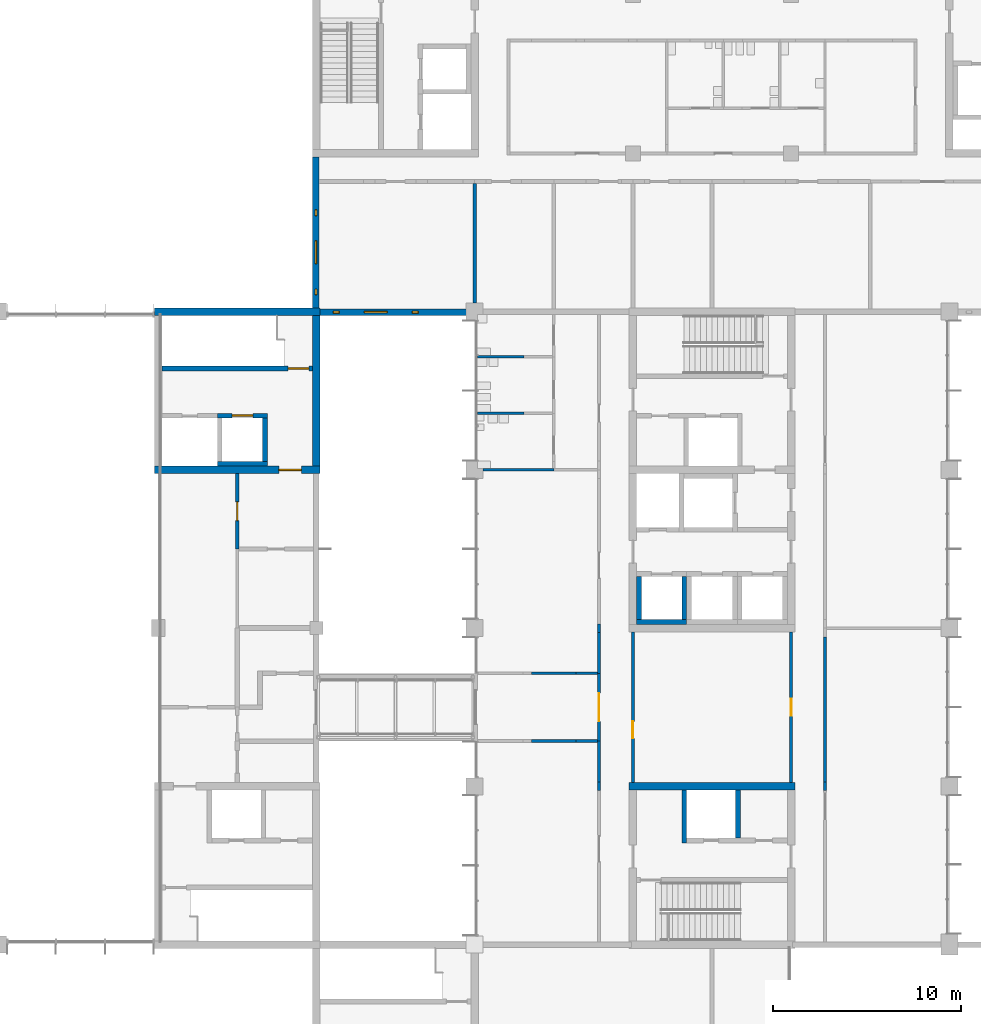
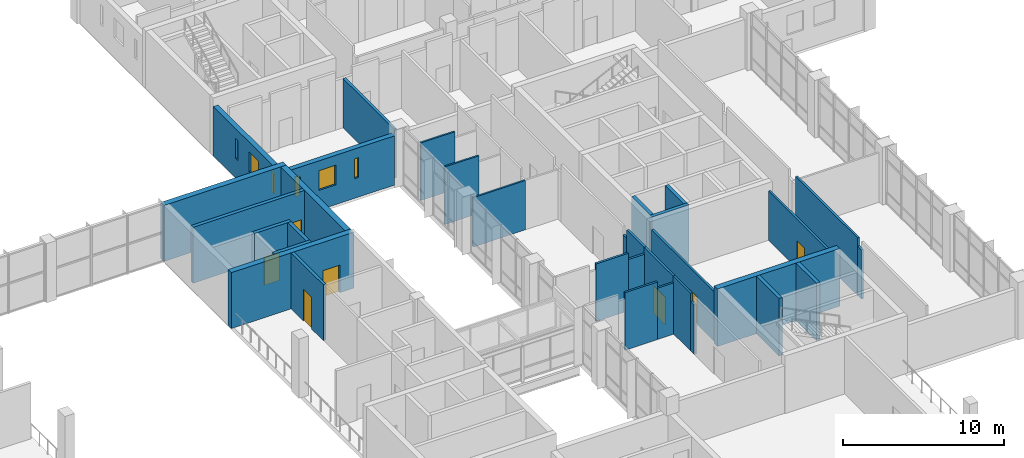
# One storey, part 41 of 70: 33 walls, 7 doors, 6 windows, 13 openings.
"""IFC4 building model written with IfcOpenShell, lengths in metres."""

import ifcopenshell
import ifcopenshell.guid

model = None  # the IFC model being written
_history = None  # IfcOwnerHistory: only IFC2X3 demands one
_inside = {}  # id of a spatial element -> (the spatial element, [elements in it])
_under = {}  # id of a project, library or spatial element -> (it, [spatial elements below it])
_declared = {}  # id of a project -> (the project, [libraries it declares])
_typed = {}  # id of a type object -> (the type object, [elements of that type])
_made_of = {}  # id of a material, layer set ... -> (it, [elements and type objects made of it])


def new_model(schema):
    """Start an empty IFC model of exactly this schema.

    Asked for "IFC4X3", IfcOpenShell would pick the latest addendum, in which some entities
    have other attributes; the version numbers below select the first issue.
    IFC2X3 requires an IfcOwnerHistory on every rooted entity: one is made here for all.
    """
    global model, _history
    if schema == "IFC4X3":
        model = ifcopenshell.file(schema_version=(4, 3, 0, 0))
    else:
        model = ifcopenshell.file(schema=schema)
    _inside.clear()
    _under.clear()
    _declared.clear()
    _typed.clear()
    _made_of.clear()
    _history = None
    if model.schema == "IFC2X3":
        org = make("IfcOrganization", Name="unknown")
        user = make(
            "IfcPersonAndOrganization",
            ThePerson=make("IfcPerson", FamilyName="unknown"),
            TheOrganization=org,
        )
        app = make(
            "IfcApplication",
            ApplicationDeveloper=org,
            Version="unknown",
            ApplicationFullName="unknown",
            ApplicationIdentifier="unknown",
        )
        _history = make(
            "IfcOwnerHistory",
            OwningUser=user,
            OwningApplication=app,
            ChangeAction="ADDED",
            CreationDate=0,
        )
    return model


def make(cls, **values):
    """One entity of the class cls with the attributes given. An attribute that is None is left unset."""
    return model.create_entity(
        cls, **{name: value for name, value in values.items() if value is not None}
    )


def rooted(cls, **values):
    """An entity with a GlobalId (a new one), such as an element, a storey or a relation."""
    return make(cls, GlobalId=ifcopenshell.guid.new(), OwnerHistory=_history, **values)


def si_unit(unit_type, name, prefix=None):
    """IfcSIUnit, for example si_unit("LENGTHUNIT", "METRE", prefix="MILLI")."""
    return make("IfcSIUnit", UnitType=unit_type, Prefix=prefix, Name=name)


def assignment(units):
    """IfcUnitAssignment: the units of a project."""
    return None if units is None else make("IfcUnitAssignment", Units=units)


def point(xyz):
    """IfcCartesianPoint."""
    return None if xyz is None else make("IfcCartesianPoint", Coordinates=xyz)


def direction(xyz):
    """IfcDirection."""
    return None if xyz is None else make("IfcDirection", DirectionRatios=xyz)


def frame(location, z_axis=None, x_axis=None):
    """IfcAxis2Placement3D, a coordinate frame: its origin and axes. An axis left out is left unset."""
    return make(
        "IfcAxis2Placement3D",
        Location=point(location),
        Axis=direction(z_axis),
        RefDirection=direction(x_axis),
    )


def frame_2d(location, x_axis=None):
    """IfcAxis2Placement2D, a coordinate frame in the plane: its origin and x axis."""
    return make(
        "IfcAxis2Placement2D", Location=point(location), RefDirection=direction(x_axis)
    )


def origin():
    """The frame at (0, 0, 0) with its axes left unset."""
    return frame((0.0, 0.0, 0.0))


def place(relative_to, where):
    """IfcLocalPlacement: puts the frame where relative to a parent placement (None: the world)."""
    return make(
        "IfcLocalPlacement", PlacementRelTo=relative_to, RelativePlacement=where
    )


def context(
    kind, dimensions, precision=None, world=None, true_north=None, identifier=None
):
    """IfcGeometricRepresentationContext, for example the 3D "Model" context."""
    return make(
        "IfcGeometricRepresentationContext",
        ContextIdentifier=identifier,
        ContextType=kind,
        CoordinateSpaceDimension=dimensions,
        Precision=precision,
        WorldCoordinateSystem=world,
        TrueNorth=true_north,
    )


def subcontext(parent, identifier, kind, view, scale=None):
    """IfcGeometricRepresentationSubContext, for example "Body" below "Model"."""
    return make(
        "IfcGeometricRepresentationSubContext",
        ContextIdentifier=identifier,
        ContextType=kind,
        ParentContext=parent,
        TargetScale=scale,
        TargetView=view,
    )


def project(units=None, contexts=None):
    """IfcProject with its units and contexts."""
    return rooted(
        "IfcProject",
        Name="project",
        RepresentationContexts=contexts,
        UnitsInContext=assignment(units),
    )


def spatial(cls, under=None, at=None, **own):
    """A site, building, storey or space (cls), placed at a placement, below another one or the project."""
    s = rooted(cls, ObjectPlacement=at, **own)
    if under is not None:
        _under.setdefault(under.id(), (under, []))[1].append(s)
    return s


def profile(cls, at=None, kind="AREA", **sizes):
    """A parametric profile (cls). Its sizes go by their IFC names, for example OverallWidth=200.0."""
    return make(cls, ProfileType=kind, Position=at, **sizes)


def rectangle(**sizes):
    """IfcRectangleProfileDef."""
    return profile("IfcRectangleProfileDef", **sizes)


def extrude(swept, where, along, depth):
    """IfcExtrudedAreaSolid: the profile swept, set in the frame where, extruded along a direction by depth."""
    return make(
        "IfcExtrudedAreaSolid",
        SweptArea=swept,
        Position=where,
        ExtrudedDirection=direction(along),
        Depth=depth,
    )


def shape(context_of_items, identifier, shape_type, items):
    """IfcShapeRepresentation: the items that make up one representation, for example the "Body"."""
    return make(
        "IfcShapeRepresentation",
        ContextOfItems=context_of_items,
        RepresentationIdentifier=identifier,
        RepresentationType=shape_type,
        Items=items,
    )


def material(Name=None, Category=None):
    """IfcMaterial."""
    return make("IfcMaterial", Name=Name, Category=Category)


def layer(
    of_material, thickness, ventilated=None, Name=None, Category=None, Priority=None
):
    """IfcMaterialLayer: one layer of a wall or slab, of a material (None: an air gap)."""
    return make(
        "IfcMaterialLayer",
        Material=of_material,
        LayerThickness=thickness,
        IsVentilated=ventilated,
        Name=Name,
        Category=Category,
        Priority=Priority,
    )


def layer_set(layers, Name=None):
    """IfcMaterialLayerSet."""
    return make("IfcMaterialLayerSet", MaterialLayers=layers, LayerSetName=Name)


def made_of(thing, what):
    """Note that an element or type object is made of a material, layer set ...; save() writes the relation."""
    if what is not None:
        _made_of.setdefault(what.id(), (what, []))[1].append(thing)
    return thing


def type_object(cls, material=None, **own):
    """A type object (cls), such as IfcWallType, which elements share."""
    return made_of(rooted(cls, **own), material)


def element(
    cls,
    number,
    at=None,
    inside=None,
    cuts=None,
    type_object=None,
    material=None,
    context=None,
    identifier="Body",
    shape_type=None,
    held_by="IfcProductDefinitionShape",
    body=None,
    shapes=None,
    **own,
):
    """One element of the class cls, such as IfcWall. Its Tag is "e" and its number.

    at: its placement. inside: the storey or other place that contains it. cuts: it is an
    opening in that element (IfcRelVoidsElement). A single representation is given by context,
    identifier, shape_type and body (its items); several are given by shapes. held_by: the class
    of the entity that holds the representations. save() writes the other relations.
    """
    e = rooted(cls, Tag="e%d" % number, ObjectPlacement=at, **own)
    if body is not None:
        shapes = [shape(context, identifier, shape_type, body)]
    if shapes is not None:
        e.Representation = make(held_by, Representations=shapes)
    if inside is not None:
        _inside.setdefault(inside.id(), (inside, []))[1].append(e)
    if cuts is not None:
        rooted(
            "IfcRelVoidsElement", RelatingBuildingElement=cuts, RelatedOpeningElement=e
        )
    if type_object is not None:
        _typed.setdefault(type_object.id(), (type_object, []))[1].append(e)
    return made_of(e, material)


def fill(opening, filler):
    """IfcRelFillsElement: the door or window that sits in an opening."""
    return rooted(
        "IfcRelFillsElement",
        RelatingOpeningElement=opening,
        RelatedBuildingElement=filler,
    )


def aggregate(whole, parts):
    """IfcRelAggregates: a whole, such as a stair, and the parts it consists of."""
    return rooted("IfcRelAggregates", RelatingObject=whole, RelatedObjects=parts)


def save(model, path):
    """Write the relations noted so far, then the file.

    IfcRelAggregates (storeys below a building ...), IfcRelContainedInSpatialStructure (elements
    in a storey), IfcRelDefinesByType, IfcRelAssociatesMaterial and IfcRelDeclares: one each for
    every whole, place, type object, material and project.
    """
    for whole, parts in _under.values():
        aggregate(whole, parts)
    for where, things in _inside.values():
        rooted(
            "IfcRelContainedInSpatialStructure",
            RelatedElements=things,
            RelatingStructure=where,
        )
    for kind, things in _typed.values():
        rooted("IfcRelDefinesByType", RelatedObjects=things, RelatingType=kind)
    for what, things in _made_of.values():
        rooted("IfcRelAssociatesMaterial", RelatedObjects=things, RelatingMaterial=what)
    for by, libraries in _declared.values():
        rooted("IfcRelDeclares", RelatingContext=by, RelatedDefinitions=libraries)
    model.write(path)


model = new_model("IFC4")

# Units and contexts
model_context = context("Model", 3, precision=1e-05, world=origin(), true_north=direction((0.0, 1.0)))
body_context = subcontext(model_context, "Body", "Model", "MODEL_VIEW")
ifc_project = project(units=[si_unit("LENGTHUNIT", "METRE"), si_unit("AREAUNIT", "SQUARE_METRE"), si_unit("VOLUMEUNIT", "CUBIC_METRE"), si_unit("PLANEANGLEUNIT", "RADIAN"), si_unit("MASSUNIT", "GRAM", prefix="KILO")], contexts=[model_context])

# Site, building, storey
site_placement = place(None, origin())
site = spatial("IfcSite", under=ifc_project, at=site_placement, CompositionType="ELEMENT")
building_placement = place(site_placement, origin())
building = spatial("IfcBuilding", under=site, at=building_placement, Name="Hlaing Beacon Police Headquarters", CompositionType="ELEMENT")
storey_placement = place(building_placement, frame((0.0, 0.0, 5.39990234375)))
storey = spatial("IfcBuildingStorey", under=building, at=storey_placement, Name="L01", CompositionType="ELEMENT", Elevation=5.39990234375)

# Wall, opening, door
ifc_material_1 = material(Name="Concrete C60/75", Category="concrete")
ifc_layer_1 = layer(ifc_material_1, 0.39990234375)
ifc_layer_set_1 = layer_set([ifc_layer_1], Name="Concrete C60/75")
wall_type_1 = type_object("IfcWallType", Name="Core shear wall 400", PredefinedType="SHEAR", material=ifc_layer_set_1)
wall_1_placement = place(storey_placement, frame((83.800048828125, 58.800048828125, 0.0), z_axis=(0.0, 0.0, 1.0), x_axis=(1.0, 0.0, 0.0)))
wall_1 = element("IfcWall", 1, at=wall_1_placement, inside=storey, type_object=wall_type_1, Name="Core shear wall", PredefinedType="SHEAR", context=body_context, shape_type="SweptSolid", body=[
    extrude(rectangle(XDim=8.800048828125, YDim=0.39990234375, at=frame_2d((4.39990234375, 0.0))), origin(), (0.0, 0.0, 1.0), 4.25),
])
opening_1_placement = place(wall_1_placement, frame((6.60009765625, 0.0, 0.0)))
opening_1 = element("IfcOpeningElement", 2, at=opening_1_placement, cuts=wall_1, Name="Opening L01-912", PredefinedType="OPENING", context=body_context, shape_type="SweptSolid", body=[
    extrude(rectangle(XDim=1.199951171875, YDim=2.10009765625, at=frame_2d((0.60009765625, 1.050048828125))), frame((0.0, 0.2099609375, 0.0), z_axis=(0.0, -1.0, 0.0), x_axis=(1.0, 0.0, 0.0)), (0.0, 0.0, 1.0), 0.419921875),
])
ifc_material_2 = material(Name="Steel fire door leaf", Category="steel")
ifc_layer_2 = layer(ifc_material_2, 0.070068359375)
ifc_layer_set_2 = layer_set([ifc_layer_2], Name="Steel fire door leaf")
door_type_1 = type_object("IfcDoorType", Name="Steel fire door FD60S 1200x2100", OperationType="SINGLE_SWING_LEFT", PredefinedType="DOOR", material=ifc_layer_set_2)
door_1_placement = place(opening_1_placement, origin())
door_1 = element("IfcDoor", 3, at=door_1_placement, inside=storey, type_object=door_type_1, Name="Door Lift and Stair Lobby ST-D Entry", OperationType="SINGLE_SWING_RIGHT", OverallHeight=2.10009765625, OverallWidth=1.199951171875, PredefinedType="DOOR", context=body_context, shape_type="SweptSolid", body=[
    extrude(rectangle(XDim=1.199951171875, YDim=2.10009765625, at=frame_2d((0.60009765625, 1.050048828125))), frame((0.0, 0.03515625, 0.0), z_axis=(0.0, -1.0, 0.0), x_axis=(1.0, 0.0, 0.0)), (0.0, 0.0, 1.0), 0.070068359375),
])
fill(opening_1, door_1)

# Walls
wall_2_placement = place(storey_placement, frame((83.800048828125, 67.199951171875, 0.0), z_axis=(0.0, 0.0, 1.0), x_axis=(1.0, 0.0, 0.0)))
element("IfcWall", 4, at=wall_2_placement, inside=storey, type_object=wall_type_1, Name="Core shear wall", PredefinedType="SHEAR", context=body_context, shape_type="SweptSolid", body=[
    extrude(rectangle(XDim=8.800048828125, YDim=0.39990234375, at=frame_2d((4.39990234375, 0.0))), origin(), (0.0, 0.0, 1.0), 4.25),
])
wall_3_placement = place(storey_placement, frame((92.39990234375, 59.0, 0.0), z_axis=(0.0, 0.0, 1.0), x_axis=(0.0, 1.0, 0.0)))
element("IfcWall", 5, at=wall_3_placement, inside=storey, type_object=wall_type_1, Name="Core shear wall", PredefinedType="SHEAR", context=body_context, shape_type="SweptSolid", body=[
    extrude(rectangle(XDim=8.0, YDim=0.39990234375, at=frame_2d((4.0, 0.0))), origin(), (0.0, 0.0, 1.0), 4.25),
])
wall_4_placement = place(storey_placement, frame((109.0, 42.0, 0.0), z_axis=(0.0, 0.0, 1.0), x_axis=(1.0, 0.0, 0.0)))
element("IfcWall", 6, at=wall_4_placement, inside=storey, type_object=wall_type_1, Name="Core shear wall", PredefinedType="SHEAR", context=body_context, shape_type="SweptSolid", body=[
    extrude(rectangle(XDim=8.800048828125, YDim=0.39990234375, at=frame_2d((4.39990234375, 0.0))), origin(), (0.0, 0.0, 1.0), 4.3701171875),
])

# Wall, opening, door
ifc_material_3 = material(Name="Gypsum board partition")
ifc_layer_3 = layer(ifc_material_3, 0.14990234375)
ifc_layer_set_3 = layer_set([ifc_layer_3], Name="Gypsum board partition")
wall_type_2 = type_object("IfcWallType", Name="Corridor wall EI 30 150", PredefinedType="PARTITIONING", material=ifc_layer_set_3)
wall_5_placement = place(storey_placement, frame((107.39990234375, 44.39990234375, 0.0), z_axis=(0.0, 0.0, 1.0), x_axis=(0.0, 1.0, 0.0)))
wall_5 = element("IfcWall", 7, at=wall_5_placement, inside=storey, type_object=wall_type_2, Name="Corridor wall EI 30 150", PredefinedType="PARTITIONING", context=body_context, shape_type="SweptSolid", body=[
    extrude(rectangle(XDim=3.60009765625, YDim=0.14990234375, at=frame_2d((1.800048828125, 0.0))), origin(), (0.0, 0.0, 1.0), 4.3701171875),
])
opening_2_placement = place(wall_5_placement, frame((1.050048828125, 0.0, 0.0)))
opening_2 = element("IfcOpeningElement", 8, at=opening_2_placement, cuts=wall_5, Name="Opening L01-047", PredefinedType="OPENING", context=body_context, shape_type="SweptSolid", body=[
    extrude(rectangle(XDim=1.5, YDim=2.10009765625, at=frame_2d((0.75, 1.050048828125))), frame((0.0, 0.0849609375, 0.0), z_axis=(0.0, -1.0, 0.0), x_axis=(1.0, 0.0, 0.0)), (0.0, 0.0, 1.0), 0.169921875),
])
ifc_material_4 = material(Name="Hardwood door leaf", Category="wood")
ifc_layer_4 = layer(ifc_material_4, 0.050048828125)
ifc_layer_set_4 = layer_set([ifc_layer_4], Name="Hardwood door leaf")
door_type_2 = type_object("IfcDoorType", Name="Fire cross-corridor door FD30S 1500x2100", OperationType="DOUBLE_DOOR_SINGLE_SWING", PredefinedType="DOOR", material=ifc_layer_set_4)
door_2_placement = place(opening_2_placement, origin())
door_2 = element("IfcDoor", 9, at=door_2_placement, inside=storey, type_object=door_type_2, Name="Door Bridge Landing", OperationType="DOUBLE_DOOR_SINGLE_SWING", OverallHeight=2.10009765625, OverallWidth=1.5, PredefinedType="DOOR", context=body_context, shape_type="SweptSolid", body=[
    extrude(rectangle(XDim=1.5, YDim=2.10009765625, at=frame_2d((0.75, 1.050048828125))), frame((0.0, 0.02490234375, 0.0), z_axis=(0.0, -1.0, 0.0), x_axis=(1.0, 0.0, 0.0)), (0.0, 0.0, 1.0), 0.050048828125),
])
fill(opening_2, door_2)

# Walls
wall_6_placement = place(storey_placement, frame((103.830078125, 44.39990234375, 0.0), z_axis=(0.0, 0.0, 1.0), x_axis=(1.0, 0.0, 0.0)))
element("IfcWall", 10, at=wall_6_placement, inside=storey, type_object=wall_type_2, Name="Corridor wall EI 30 150", PredefinedType="PARTITIONING", context=body_context, shape_type="SweptSolid", body=[
    extrude(rectangle(XDim=2.33984375, YDim=0.14990234375, at=frame_2d((1.169921875, 0.0))), origin(), (0.0, 0.0, 1.0), 4.3701171875),
])
wall_7_placement = place(storey_placement, frame((106.169921875, 44.39990234375, 0.0), z_axis=(0.0, 0.0, 1.0), x_axis=(1.0, 0.0, 0.0)))
element("IfcWall", 11, at=wall_7_placement, inside=storey, type_object=wall_type_2, Name="Corridor wall EI 30 150", PredefinedType="PARTITIONING", context=body_context, shape_type="SweptSolid", body=[
    extrude(rectangle(XDim=1.155029296875, YDim=0.14990234375, at=frame_2d((0.57763671875, 0.0))), origin(), (0.0, 0.0, 1.0), 3.89501953125),
])
wall_8_placement = place(storey_placement, frame((103.830078125, 48.0, 0.0), z_axis=(0.0, 0.0, 1.0), x_axis=(1.0, 0.0, 0.0)))
element("IfcWall", 12, at=wall_8_placement, inside=storey, type_object=wall_type_2, Name="Corridor wall EI 30 150", PredefinedType="PARTITIONING", context=body_context, shape_type="SweptSolid", body=[
    extrude(rectangle(XDim=2.33984375, YDim=0.14990234375, at=frame_2d((1.169921875, 0.0))), origin(), (0.0, 0.0, 1.0), 4.3701171875),
])
wall_9_placement = place(storey_placement, frame((106.169921875, 48.0, 0.0), z_axis=(0.0, 0.0, 1.0), x_axis=(1.0, 0.0, 0.0)))
element("IfcWall", 13, at=wall_9_placement, inside=storey, type_object=wall_type_2, Name="Corridor wall EI 30 150", PredefinedType="PARTITIONING", context=body_context, shape_type="SweptSolid", body=[
    extrude(rectangle(XDim=1.155029296875, YDim=0.14990234375, at=frame_2d((0.57763671875, 0.0))), origin(), (0.0, 0.0, 1.0), 3.89501953125),
])
wall_10_placement = place(storey_placement, frame((119.39990234375, 41.77001953125, 0.0), z_axis=(0.0, 0.0, 1.0), x_axis=(0.0, 1.0, 0.0)))
element("IfcWall", 14, at=wall_10_placement, inside=storey, type_object=wall_type_2, Name="Corridor wall EI 30 150", PredefinedType="PARTITIONING", context=body_context, shape_type="SweptSolid", body=[
    extrude(rectangle(XDim=0.4599609375, YDim=0.14990234375, at=frame_2d((0.22998046875, 0.0))), origin(), (0.0, 0.0, 1.0), 3.74609375),
])
wall_11_placement = place(storey_placement, frame((119.39990234375, 42.22998046875, 0.0), z_axis=(0.0, 0.0, 1.0), x_axis=(0.0, 1.0, 0.0)))
element("IfcWall", 15, at=wall_11_placement, inside=storey, type_object=wall_type_2, Name="Corridor wall EI 30 150", PredefinedType="PARTITIONING", context=body_context, shape_type="SweptSolid", body=[
    extrude(rectangle(XDim=7.7099609375, YDim=0.14990234375, at=frame_2d((3.85498046875, 0.0))), origin(), (0.0, 0.0, 1.0), 4.3701171875),
])

# Wall, opening, door
wall_12_placement = place(storey_placement, frame((117.60009765625, 42.199951171875, 0.0), z_axis=(0.0, 0.0, 1.0), x_axis=(0.0, 1.0, 0.0)))
wall_12 = element("IfcWall", 16, at=wall_12_placement, inside=storey, type_object=wall_type_2, Name="Corridor wall EI 30 150", PredefinedType="PARTITIONING", context=body_context, shape_type="SweptSolid", body=[
    extrude(rectangle(XDim=8.0, YDim=0.14990234375, at=frame_2d((4.0, 0.0))), origin(), (0.0, 0.0, 1.0), 3.74609375),
])
opening_3_placement = place(wall_12_placement, frame((3.550048828125, 0.0, 0.0)))
opening_3 = element("IfcOpeningElement", 17, at=opening_3_placement, cuts=wall_12, Name="Opening L01-050", PredefinedType="OPENING", context=body_context, shape_type="SweptSolid", body=[
    extrude(rectangle(XDim=0.89990234375, YDim=2.10009765625, at=frame_2d((0.449951171875, 1.050048828125))), frame((0.0, 0.0849609375, 0.0), z_axis=(0.0, -1.0, 0.0), x_axis=(1.0, 0.0, 0.0)), (0.0, 0.0, 1.0), 0.169921875),
])
ifc_material_5 = material(Name="Hardwood door leaf", Category="wood")
ifc_layer_5 = layer(ifc_material_5, 0.050048828125)
ifc_layer_set_5 = layer_set([ifc_layer_5], Name="Hardwood door leaf")
door_type_3 = type_object("IfcDoorType", Name="Fire door FD30S 900x2100", OperationType="SINGLE_SWING_LEFT", PredefinedType="DOOR", material=ifc_layer_set_5)
door_3_placement = place(opening_3_placement, origin())
door_3 = element("IfcDoor", 18, at=door_3_placement, inside=storey, type_object=door_type_3, Name="Door Specialist Support Office", OperationType="SINGLE_SWING_LEFT", OverallHeight=2.10009765625, OverallWidth=0.89990234375, PredefinedType="DOOR", context=body_context, shape_type="SweptSolid", body=[
    extrude(rectangle(XDim=0.89990234375, YDim=2.10009765625, at=frame_2d((0.449951171875, 1.050048828125))), frame((0.0, 0.02490234375, 0.0), z_axis=(0.0, -1.0, 0.0), x_axis=(1.0, 0.0, 0.0)), (0.0, 0.0, 1.0), 0.050048828125),
])
fill(opening_3, door_3)

wall_13_placement = place(storey_placement, frame((109.199951171875, 42.199951171875, 0.0), z_axis=(0.0, 0.0, 1.0), x_axis=(0.0, 1.0, 0.0)))
wall_13 = element("IfcWall", 19, at=wall_13_placement, inside=storey, type_object=wall_type_2, Name="Corridor wall EI 30 150", PredefinedType="PARTITIONING", context=body_context, shape_type="SweptSolid", body=[
    extrude(rectangle(XDim=8.0, YDim=0.14990234375, at=frame_2d((4.0, 0.0))), origin(), (0.0, 0.0, 1.0), 3.74609375),
])
opening_4_placement = place(wall_13_placement, frame((2.35009765625, 0.0, 0.0)))
opening_4 = element("IfcOpeningElement", 20, at=opening_4_placement, cuts=wall_13, Name="Opening L01-051", PredefinedType="OPENING", context=body_context, shape_type="SweptSolid", body=[
    extrude(rectangle(XDim=0.89990234375, YDim=2.10009765625, at=frame_2d((0.449951171875, 1.050048828125))), frame((0.0, 0.0849609375, 0.0), z_axis=(0.0, -1.0, 0.0), x_axis=(1.0, 0.0, 0.0)), (0.0, 0.0, 1.0), 0.169921875),
])
door_4_placement = place(opening_4_placement, frame((0.89990234375, 0.0, 0.0), z_axis=(0.0, 0.0, 1.0), x_axis=(-1.0, 0.0, 0.0)))
door_4 = element("IfcDoor", 21, at=door_4_placement, inside=storey, type_object=door_type_3, Name="Door Specialist Support Office", OperationType="SINGLE_SWING_RIGHT", OverallHeight=2.10009765625, OverallWidth=0.89990234375, PredefinedType="DOOR", context=body_context, shape_type="SweptSolid", body=[
    extrude(rectangle(XDim=0.89990234375, YDim=2.10009765625, at=frame_2d((0.449951171875, 1.050048828125))), frame((0.0, 0.025146484375, 0.0), z_axis=(0.0, -1.0, 0.0), x_axis=(1.0, 0.0, 0.0)), (0.0, 0.0, 1.0), 0.050048828125),
])
fill(opening_4, door_4)

# Walls
wall_14_placement = place(storey_placement, frame((107.39990234375, 41.77001953125, 0.0), z_axis=(0.0, 0.0, 1.0), x_axis=(0.0, 1.0, 0.0)))
element("IfcWall", 22, at=wall_14_placement, inside=storey, type_object=wall_type_2, Name="Corridor wall EI 30 150", PredefinedType="PARTITIONING", context=body_context, shape_type="SweptSolid", body=[
    extrude(rectangle(XDim=0.4599609375, YDim=0.14990234375, at=frame_2d((0.22998046875, 0.0))), origin(), (0.0, 0.0, 1.0), 3.74609375),
])
for number, where, z_axis, x_axis, name in (
    (23, (107.39990234375, 42.22998046875, 0.0), (0.0, 0.0, 1.0), (0.0, 1.0, 0.0), "Corridor wall EI 30 150"),
    (24, (107.39990234375, 48.0, 0.0), (0.0, 0.0, 1.0), (0.0, 1.0, 0.0), "Corridor wall EI 30 150"),
):
    element("IfcWall", number, at=place(storey_placement, frame(where, z_axis=z_axis, x_axis=x_axis)), inside=storey, type_object=wall_type_2, Name=name, PredefinedType="PARTITIONING", context=body_context, shape_type="SweptSolid", body=[
        extrude(rectangle(XDim=2.169921875, YDim=0.14990234375, at=frame_2d((1.0849609375, 0.0))), origin(), (0.0, 0.0, 1.0), 4.3701171875),
    ])
wall_15_placement = place(storey_placement, frame((107.39990234375, 50.169921875, 0.0), z_axis=(0.0, 0.0, 1.0), x_axis=(0.0, 1.0, 0.0)))
element("IfcWall", 25, at=wall_15_placement, inside=storey, type_object=wall_type_2, Name="Corridor wall EI 30 150", PredefinedType="PARTITIONING", context=body_context, shape_type="SweptSolid", body=[
    extrude(rectangle(XDim=0.4599609375, YDim=0.14990234375, at=frame_2d((0.22998046875, 0.0))), origin(), (0.0, 0.0, 1.0), 3.74609375),
])
ifc_material_6 = material(Name="Concrete blockwork 7.5 N/mm2", Category="masonry")
ifc_layer_6 = layer(ifc_material_6, 0.199951171875)
ifc_layer_set_6 = layer_set([ifc_layer_6], Name="Concrete blockwork 7.5 N/mm2")
wall_type_3 = type_object("IfcWallType", Name="Custody wall EI 60 200", PredefinedType="PARTITIONING", material=ifc_layer_set_6)
wall_16_placement = place(storey_placement, frame((100.800048828125, 67.64990234375, 0.0), z_axis=(0.0, 0.0, 1.0), x_axis=(0.0, 1.0, 0.0)))
element("IfcWall", 26, at=wall_16_placement, inside=storey, type_object=wall_type_3, Name="Custody wall EI 60 200", PredefinedType="PARTITIONING", context=body_context, shape_type="SweptSolid", body=[
    extrude(rectangle(XDim=6.35009765625, YDim=0.199951171875, at=frame_2d((3.175048828125, 0.0))), origin(), (0.0, 0.0, 1.0), 3.74609375),
])

# Wall, opening, door
ifc_material_7 = material(Name="Concrete blockwork 7.5 N/mm2", Category="masonry")
ifc_layer_7 = layer(ifc_material_7, 0.199951171875)
ifc_layer_set_7 = layer_set([ifc_layer_7], Name="Concrete blockwork 7.5 N/mm2")
wall_type_4 = type_object("IfcWallType", Name="Lobby wall EI 120 200", PredefinedType="PARTITIONING", material=ifc_layer_set_7)
wall_17_placement = place(storey_placement, frame((88.199951171875, 54.60009765625, 0.0), z_axis=(0.0, 0.0, 1.0), x_axis=(0.0, 1.0, 0.0)))
wall_17 = element("IfcWall", 27, at=wall_17_placement, inside=storey, type_object=wall_type_4, Name="Lobby wall EI 120 200", PredefinedType="PARTITIONING", context=body_context, shape_type="SweptSolid", body=[
    extrude(rectangle(XDim=4.0, YDim=0.199951171875, at=frame_2d((2.0, 0.0))), origin(), (0.0, 0.0, 1.0), 4.25),
])
opening_5_placement = place(wall_17_placement, frame((1.5, 0.0, 0.0)))
opening_5 = element("IfcOpeningElement", 28, at=opening_5_placement, cuts=wall_17, Name="Opening L01-006", PredefinedType="OPENING", context=body_context, shape_type="SweptSolid", body=[
    extrude(rectangle(XDim=1.0, YDim=2.39990234375, at=frame_2d((0.5, 1.199951171875))), frame((0.0, 0.10986328125, 0.0), z_axis=(0.0, -1.0, 0.0), x_axis=(1.0, 0.0, 0.0)), (0.0, 0.0, 1.0), 0.219970703125),
])
ifc_material_8 = material(Name="Aluminium frame with safety glazing", Category="aluminium")
ifc_layer_8 = layer(ifc_material_8, 0.070068359375)
ifc_layer_set_8 = layer_set([ifc_layer_8], Name="Aluminium frame with safety glazing")
door_type_4 = type_object("IfcDoorType", Name="Fire glazed public door FD60S 1000x2400", OperationType="SINGLE_SWING_LEFT", PredefinedType="DOOR", material=ifc_layer_set_8)
door_5_placement = place(opening_5_placement, origin())
door_5 = element("IfcDoor", 29, at=door_5_placement, inside=storey, type_object=door_type_4, Name="Door Community Exhibition Gallery East", OperationType="SINGLE_SWING_LEFT", OverallHeight=2.39990234375, OverallWidth=1.0, PredefinedType="DOOR", context=body_context, shape_type="SweptSolid", body=[
    extrude(rectangle(XDim=1.0, YDim=2.39990234375, at=frame_2d((0.5, 1.199951171875))), frame((0.0, 0.03515625, 0.0), z_axis=(0.0, -1.0, 0.0), x_axis=(1.0, 0.0, 0.0)), (0.0, 0.0, 1.0), 0.070068359375),
])
fill(opening_5, door_5)

# Walls
ifc_material_9 = material(Name="Gypsum board partition")
ifc_layer_9 = layer(ifc_material_9, 0.125)
ifc_layer_set_9 = layer_set([ifc_layer_9], Name="Gypsum board partition")
wall_type_5 = type_object("IfcWallType", Name="Partition 125", PredefinedType="PARTITIONING", material=ifc_layer_set_9)
wall_18_placement = place(storey_placement, frame((101.25, 58.800048828125, 0.0), z_axis=(0.0, 0.0, 1.0), x_axis=(1.0, 0.0, 0.0)))
element("IfcWall", 30, at=wall_18_placement, inside=storey, type_object=wall_type_5, Name="Partition 125", PredefinedType="PARTITIONING", context=body_context, shape_type="SweptSolid", body=[
    extrude(rectangle(XDim=3.75, YDim=0.125, at=frame_2d((1.875, 0.0))), origin(), (0.0, 0.0, 1.0), 3.74609375),
])
for number, where, z_axis, x_axis, name in (
    (31, (100.949951171875, 64.800048828125, 0.0), (0.0, 0.0, 1.0), (1.0, 0.0, 0.0), "Partition 125"),
    (32, (100.949951171875, 61.800048828125, 0.0), (0.0, 0.0, 1.0), (1.0, 0.0, 0.0), "Partition 125"),
):
    element("IfcWall", number, at=place(storey_placement, frame(where, z_axis=z_axis, x_axis=x_axis)), inside=storey, type_object=wall_type_5, Name=name, PredefinedType="PARTITIONING", context=body_context, shape_type="SweptSolid", body=[
        extrude(rectangle(XDim=2.45703125, YDim=0.125, at=frame_2d((1.228515625, 0.0))), origin(), (0.0, 0.0, 1.0), 4.3701171875),
    ])

# Wall, openings, windows
ifc_material_10 = material(Name="Concrete C40/50 precast with security mesh", Category="concrete")
ifc_layer_10 = layer(ifc_material_10, 0.35009765625)
ifc_layer_set_10 = layer_set([ifc_layer_10], Name="Concrete C40/50 precast with security mesh")
wall_type_6 = type_object("IfcWallType", Name="Precast security wall 350", PredefinedType="SOLIDWALL", material=ifc_layer_set_10)
wall_19_placement = place(storey_placement, frame((92.375, 75.39990234375, 0.0), z_axis=(0.0, 0.0, 1.0), x_axis=(0.0, -1.0, 0.0)))
wall_19 = element("IfcWall", 33, at=wall_19_placement, inside=storey, type_object=wall_type_6, Name="External wall L01 W039", PredefinedType="SOLIDWALL", context=body_context, shape_type="SweptSolid", body=[
    extrude(rectangle(XDim=8.0, YDim=0.35009765625, at=frame_2d((4.0, 0.0))), origin(), (0.0, 0.0, 1.0), 3.74609375),
])
opening_6_placement = place(wall_19_placement, frame((2.800048828125, 0.0, 1.5)))
opening_6 = element("IfcOpeningElement", 34, at=opening_6_placement, cuts=wall_19, Name="Opening WN21", PredefinedType="OPENING", context=body_context, shape_type="SweptSolid", body=[
    extrude(rectangle(XDim=0.300048828125, YDim=1.5, at=frame_2d((0.14990234375, 0.75))), frame((0.0, 0.18505859375, 0.0), z_axis=(0.0, -1.0, 0.0), x_axis=(1.0, 0.0, 0.0)), (0.0, 0.0, 1.0), 0.3701171875),
])
opening_7_placement = place(wall_19_placement, frame((4.449951171875, 0.0, 1.5)))
opening_7 = element("IfcOpeningElement", 35, at=opening_7_placement, cuts=wall_19, Name="Opening WN22", PredefinedType="OPENING", context=body_context, shape_type="SweptSolid", body=[
    extrude(rectangle(XDim=1.199951171875, YDim=1.5, at=frame_2d((0.60009765625, 0.75))), frame((0.0, 0.18505859375, 0.0), z_axis=(0.0, -1.0, 0.0), x_axis=(1.0, 0.0, 0.0)), (0.0, 0.0, 1.0), 0.3701171875),
])
opening_8_placement = place(wall_19_placement, frame((7.0, 0.0, 1.5)))
opening_8 = element("IfcOpeningElement", 36, at=opening_8_placement, cuts=wall_19, Name="Opening WN21", PredefinedType="OPENING", context=body_context, shape_type="SweptSolid", body=[
    extrude(rectangle(XDim=0.300048828125, YDim=1.5, at=frame_2d((0.14990234375, 0.75))), frame((0.0, 0.18505859375, 0.0), z_axis=(0.0, -1.0, 0.0), x_axis=(1.0, 0.0, 0.0)), (0.0, 0.0, 1.0), 0.3701171875),
])
ifc_material_11 = material(Name="Aluminium frame with solar control glazing", Category="aluminium")
window_type_1 = type_object("IfcWindowType", Name="Module window 1200x1500 frame 80", PartitioningType="SINGLE_PANEL", PredefinedType="WINDOW", material=ifc_material_11)
window_1_placement = place(opening_7_placement, origin())
window_1 = element("IfcWindow", 37, at=window_1_placement, inside=storey, type_object=window_type_1, Name="Window L01 WC", OverallHeight=1.5, OverallWidth=1.199951171875, PartitioningType="SINGLE_PANEL", PredefinedType="WINDOW", context=body_context, shape_type="SweptSolid", body=[
    extrude(rectangle(XDim=1.199951171875, YDim=1.5, at=frame_2d((0.60009765625, 0.75))), frame((0.0, 0.0400390625, 0.0), z_axis=(0.0, -1.0, 0.0), x_axis=(1.0, 0.0, 0.0)), (0.0, 0.0, 1.0), 0.080078125),
])
fill(opening_7, window_1)
ifc_material_12 = material(Name="Aluminium frame with solar control glazing", Category="aluminium")
window_type_2 = type_object("IfcWindowType", Name="Slit window 300x1500 frame 100", PartitioningType="SINGLE_PANEL", PredefinedType="WINDOW", material=ifc_material_12)
window_2_placement = place(opening_6_placement, origin())
window_2 = element("IfcWindow", 38, at=window_2_placement, inside=storey, type_object=window_type_2, Name="Window L01 WT", OverallHeight=1.5, OverallWidth=0.300048828125, PartitioningType="SINGLE_PANEL", PredefinedType="WINDOW", context=body_context, shape_type="SweptSolid", body=[
    extrude(rectangle(XDim=0.300048828125, YDim=1.5, at=frame_2d((0.14990234375, 0.75))), frame((0.0, 0.050048828125, 0.0), z_axis=(0.0, -1.0, 0.0), x_axis=(1.0, 0.0, 0.0)), (0.0, 0.0, 1.0), 0.10009765625),
])
fill(opening_6, window_2)
window_3_placement = place(opening_8_placement, origin())
window_3 = element("IfcWindow", 39, at=window_3_placement, inside=storey, type_object=window_type_2, Name="Window L01 WT", OverallHeight=1.5, OverallWidth=0.300048828125, PartitioningType="SINGLE_PANEL", PredefinedType="WINDOW", context=body_context, shape_type="SweptSolid", body=[
    extrude(rectangle(XDim=0.300048828125, YDim=1.5, at=frame_2d((0.14990234375, 0.75))), frame((0.0, 0.050048828125, 0.0), z_axis=(0.0, -1.0, 0.0), x_axis=(1.0, 0.0, 0.0)), (0.0, 0.0, 1.0), 0.10009765625),
])
fill(opening_8, window_3)

wall_20_placement = place(storey_placement, frame((92.60009765625, 67.175048828125, 0.0), z_axis=(0.0, 0.0, 1.0), x_axis=(1.0, 0.0, 0.0)))
wall_20 = element("IfcWall", 40, at=wall_20_placement, inside=storey, type_object=wall_type_6, Name="External wall L01 S040", PredefinedType="SOLIDWALL", context=body_context, shape_type="SweptSolid", body=[
    extrude(rectangle(XDim=7.77001953125, YDim=0.35009765625, at=frame_2d((3.885009765625, 0.0))), origin(), (0.0, 0.0, 1.0), 3.74609375),
])
opening_9_placement = place(wall_20_placement, frame((0.699951171875, 0.0, 1.5)))
opening_9 = element("IfcOpeningElement", 41, at=opening_9_placement, cuts=wall_20, Name="Opening WN21", PredefinedType="OPENING", context=body_context, shape_type="SweptSolid", body=[
    extrude(rectangle(XDim=0.300048828125, YDim=1.5, at=frame_2d((0.14990234375, 0.75))), frame((0.0, 0.18505859375, 0.0), z_axis=(0.0, -1.0, 0.0), x_axis=(1.0, 0.0, 0.0)), (0.0, 0.0, 1.0), 0.3701171875),
])
opening_10_placement = place(wall_20_placement, frame((2.35009765625, 0.0, 1.5)))
opening_10 = element("IfcOpeningElement", 42, at=opening_10_placement, cuts=wall_20, Name="Opening WN22", PredefinedType="OPENING", context=body_context, shape_type="SweptSolid", body=[
    extrude(rectangle(XDim=1.199951171875, YDim=1.5, at=frame_2d((0.60009765625, 0.75))), frame((0.0, 0.18505859375, 0.0), z_axis=(0.0, -1.0, 0.0), x_axis=(1.0, 0.0, 0.0)), (0.0, 0.0, 1.0), 0.3701171875),
])
opening_11_placement = place(wall_20_placement, frame((4.89990234375, 0.0, 1.5)))
opening_11 = element("IfcOpeningElement", 43, at=opening_11_placement, cuts=wall_20, Name="Opening WN21", PredefinedType="OPENING", context=body_context, shape_type="SweptSolid", body=[
    extrude(rectangle(XDim=0.300048828125, YDim=1.5, at=frame_2d((0.14990234375, 0.75))), frame((0.0, 0.18505859375, 0.0), z_axis=(0.0, -1.0, 0.0), x_axis=(1.0, 0.0, 0.0)), (0.0, 0.0, 1.0), 0.3701171875),
])
window_4_placement = place(opening_10_placement, origin())
window_4 = element("IfcWindow", 44, at=window_4_placement, inside=storey, type_object=window_type_1, Name="Window L01 WC", OverallHeight=1.5, OverallWidth=1.199951171875, PartitioningType="SINGLE_PANEL", PredefinedType="WINDOW", context=body_context, shape_type="SweptSolid", body=[
    extrude(rectangle(XDim=1.199951171875, YDim=1.5, at=frame_2d((0.60009765625, 0.75))), frame((0.0, 0.0400390625, 0.0), z_axis=(0.0, -1.0, 0.0), x_axis=(1.0, 0.0, 0.0)), (0.0, 0.0, 1.0), 0.080078125),
])
fill(opening_10, window_4)
window_5_placement = place(opening_9_placement, origin())
window_5 = element("IfcWindow", 45, at=window_5_placement, inside=storey, type_object=window_type_2, Name="Window L01 WT", OverallHeight=1.5, OverallWidth=0.300048828125, PartitioningType="SINGLE_PANEL", PredefinedType="WINDOW", context=body_context, shape_type="SweptSolid", body=[
    extrude(rectangle(XDim=0.300048828125, YDim=1.5, at=frame_2d((0.14990234375, 0.75))), frame((0.0, 0.050048828125, 0.0), z_axis=(0.0, -1.0, 0.0), x_axis=(1.0, 0.0, 0.0)), (0.0, 0.0, 1.0), 0.10009765625),
])
fill(opening_9, window_5)
window_6_placement = place(opening_11_placement, origin())
window_6 = element("IfcWindow", 46, at=window_6_placement, inside=storey, type_object=window_type_2, Name="Window L01 WT", OverallHeight=1.5, OverallWidth=0.300048828125, PartitioningType="SINGLE_PANEL", PredefinedType="WINDOW", context=body_context, shape_type="SweptSolid", body=[
    extrude(rectangle(XDim=0.300048828125, YDim=1.5, at=frame_2d((0.14990234375, 0.75))), frame((0.0, 0.050048828125, 0.0), z_axis=(0.0, -1.0, 0.0), x_axis=(1.0, 0.0, 0.0)), (0.0, 0.0, 1.0), 0.10009765625),
])
fill(opening_11, window_6)

# Wall, opening, door
ifc_material_13 = material(Name="Concrete C40/50", Category="concrete")
ifc_layer_11 = layer(ifc_material_13, 0.25)
ifc_layer_set_11 = layer_set([ifc_layer_11], Name="Concrete C40/50")
wall_type_7 = type_object("IfcWallType", Name="Shaft wall 250", PredefinedType="SOLIDWALL", material=ifc_layer_set_11)
wall_21_placement = place(storey_placement, frame((92.199951171875, 64.175048828125, 0.0), z_axis=(0.0, 0.0, 1.0), x_axis=(-1.0, 0.0, 0.0)))
wall_21 = element("IfcWall", 47, at=wall_21_placement, inside=storey, type_object=wall_type_7, Name="Stair enclosure wall", PredefinedType="SOLIDWALL", context=body_context, shape_type="SweptSolid", body=[
    extrude(rectangle(XDim=8.0, YDim=0.25, at=frame_2d((4.0, 0.0))), origin(), (0.0, 0.0, 1.0), 4.25),
])
opening_12_placement = place(wall_21_placement, frame((0.199951171875, 0.0, 0.0)))
opening_12 = element("IfcOpeningElement", 48, at=opening_12_placement, cuts=wall_21, Name="Opening L01-914", PredefinedType="OPENING", context=body_context, shape_type="SweptSolid", body=[
    extrude(rectangle(XDim=1.10009765625, YDim=2.10009765625, at=frame_2d((0.550048828125, 1.050048828125))), frame((0.0, 0.135009765625, 0.0), z_axis=(0.0, -1.0, 0.0), x_axis=(1.0, 0.0, 0.0)), (0.0, 0.0, 1.0), 0.27001953125),
])
ifc_material_14 = material(Name="Steel fire door leaf", Category="steel")
ifc_layer_12 = layer(ifc_material_14, 0.070068359375)
ifc_layer_set_12 = layer_set([ifc_layer_12], Name="Steel fire door leaf")
door_type_5 = type_object("IfcDoorType", Name="Steel fire door FD60 1100x2100", OperationType="SINGLE_SWING_LEFT", PredefinedType="DOOR", material=ifc_layer_set_12)
door_6_placement = place(opening_12_placement, frame((1.10009765625, 0.0, 0.0), z_axis=(0.0, 0.0, 1.0), x_axis=(-1.0, 0.0, 0.0)))
door_6 = element("IfcDoor", 49, at=door_6_placement, inside=storey, type_object=door_type_5, Name="Door Stair ST-D", OperationType="SINGLE_SWING_LEFT", OverallHeight=2.10009765625, OverallWidth=1.10009765625, PredefinedType="DOOR", context=body_context, shape_type="SweptSolid", body=[
    extrude(rectangle(XDim=1.10009765625, YDim=2.10009765625, at=frame_2d((0.550048828125, 1.050048828125))), frame((0.0, 0.034912109375, 0.0), z_axis=(0.0, -1.0, 0.0), x_axis=(1.0, 0.0, 0.0)), (0.0, 0.0, 1.0), 0.070068359375),
])
fill(opening_12, door_6)

# Walls
wall_22_placement = place(storey_placement, frame((111.925048828125, 39.0, 0.0), z_axis=(0.0, 0.0, 1.0), x_axis=(0.0, 1.0, 0.0)))
element("IfcWall", 50, at=wall_22_placement, inside=storey, type_object=wall_type_7, Name="Lobby wall", PredefinedType="SOLIDWALL", context=body_context, shape_type="SweptSolid", body=[
    extrude(rectangle(XDim=2.800048828125, YDim=0.25, at=frame_2d((1.39990234375, 0.0))), origin(), (0.0, 0.0, 1.0), 4.3701171875),
])
wall_23_placement = place(storey_placement, frame((114.77490234375, 39.25, 0.0), z_axis=(0.0, 0.0, 1.0), x_axis=(0.0, 1.0, 0.0)))
element("IfcWall", 51, at=wall_23_placement, inside=storey, type_object=wall_type_7, Name="Riser wall", PredefinedType="SOLIDWALL", context=body_context, shape_type="SweptSolid", body=[
    extrude(rectangle(XDim=2.550048828125, YDim=0.25, at=frame_2d((1.27490234375, 0.0))), origin(), (0.0, 0.0, 1.0), 4.3701171875),
])
wall_24_placement = place(storey_placement, frame((89.675048828125, 59.25, 0.0), z_axis=(0.0, 0.0, 1.0), x_axis=(0.0, 1.0, 0.0)))
element("IfcWall", 52, at=wall_24_placement, inside=storey, type_object=wall_type_7, Name="Lift shaft wall PL2", PredefinedType="SOLIDWALL", context=body_context, shape_type="SweptSolid", body=[
    extrude(rectangle(XDim=2.300048828125, YDim=0.25, at=frame_2d((1.14990234375, 0.0))), origin(), (0.0, 0.0, 1.0), 4.25),
])

# Wall, opening, door
wall_25_placement = place(storey_placement, frame((87.14990234375, 61.675048828125, 0.0), z_axis=(0.0, 0.0, 1.0), x_axis=(1.0, 0.0, 0.0)))
wall_25 = element("IfcWall", 53, at=wall_25_placement, inside=storey, type_object=wall_type_7, Name="Lift shaft wall PL2", PredefinedType="SOLIDWALL", context=body_context, shape_type="SweptSolid", body=[
    extrude(rectangle(XDim=2.650146484375, YDim=0.25, at=frame_2d((1.3251953125, 0.0))), origin(), (0.0, 0.0, 1.0), 4.25),
])
opening_13_placement = place(wall_25_placement, frame((0.77490234375, 0.0, 0.0)))
opening_13 = element("IfcOpeningElement", 54, at=opening_13_placement, cuts=wall_25, Name="Opening LD-PL2-L01", PredefinedType="OPENING", context=body_context, shape_type="SweptSolid", body=[
    extrude(rectangle(XDim=1.10009765625, YDim=2.10009765625, at=frame_2d((0.550048828125, 1.050048828125))), frame((0.0, 0.135009765625, 0.0), z_axis=(0.0, -1.0, 0.0), x_axis=(1.0, 0.0, 0.0)), (0.0, 0.0, 1.0), 0.27001953125),
])
ifc_material_15 = material(Name="Stainless steel lift landing door", Category="steel")
ifc_layer_13 = layer(ifc_material_15, 0.06005859375)
ifc_layer_set_13 = layer_set([ifc_layer_13], Name="Stainless steel lift landing door")
door_type_6 = type_object("IfcDoorType", Name="Lift landing door 1100x2100", OperationType="DOUBLE_DOOR_SLIDING", PredefinedType="DOOR", material=ifc_layer_set_13)
door_7_placement = place(opening_13_placement, origin())
door_7 = element("IfcDoor", 55, at=door_7_placement, inside=storey, type_object=door_type_6, Name="Landing door PL2 L01", OperationType="DOUBLE_DOOR_SLIDING", OverallHeight=2.10009765625, OverallWidth=1.10009765625, PredefinedType="DOOR", context=body_context, shape_type="SweptSolid", body=[
    extrude(rectangle(XDim=1.10009765625, YDim=2.10009765625, at=frame_2d((0.550048828125, 1.050048828125))), frame((0.0, 0.0400390625, 0.0), z_axis=(0.0, -1.0, 0.0), x_axis=(1.0, 0.0, 0.0)), (0.0, 0.0, 1.0), 0.080078125),
])
fill(opening_13, door_7)

# Walls
wall_26_placement = place(storey_placement, frame((87.14990234375, 59.125, 0.0), z_axis=(0.0, 0.0, 1.0), x_axis=(1.0, 0.0, 0.0)))
element("IfcWall", 56, at=wall_26_placement, inside=storey, type_object=wall_type_7, Name="Lift shaft wall PL2", PredefinedType="SOLIDWALL", context=body_context, shape_type="SweptSolid", body=[
    extrude(rectangle(XDim=2.650146484375, YDim=0.25, at=frame_2d((1.3251953125, 0.0))), origin(), (0.0, 0.0, 1.0), 4.25),
])
wall_27_placement = place(storey_placement, frame((111.925048828125, 50.85009765625, 0.0), z_axis=(0.0, 0.0, 1.0), x_axis=(0.0, 1.0, 0.0)))
element("IfcWall", 57, at=wall_27_placement, inside=storey, type_object=wall_type_7, Name="Lift shaft wall PL7", PredefinedType="SOLIDWALL", context=body_context, shape_type="SweptSolid", body=[
    extrude(rectangle(XDim=2.2998046875, YDim=0.25, at=frame_2d((1.14990234375, 0.0))), origin(), (0.0, 0.0, 1.0), 4.3701171875),
])
wall_28_placement = place(storey_placement, frame((109.39990234375, 50.72509765625, 0.0), z_axis=(0.0, 0.0, 1.0), x_axis=(1.0, 0.0, 0.0)))
element("IfcWall", 58, at=wall_28_placement, inside=storey, type_object=wall_type_7, Name="Lift shaft wall PL7", PredefinedType="SOLIDWALL", context=body_context, shape_type="SweptSolid", body=[
    extrude(rectangle(XDim=2.650146484375, YDim=0.25, at=frame_2d((1.3251953125, 0.0))), origin(), (0.0, 0.0, 1.0), 4.3701171875),
])
wall_29_placement = place(storey_placement, frame((109.52490234375, 50.85009765625, 0.0), z_axis=(0.0, 0.0, 1.0), x_axis=(0.0, 1.0, 0.0)))
element("IfcWall", 59, at=wall_29_placement, inside=storey, type_object=wall_type_7, Name="Lift shaft wall PL7", PredefinedType="SOLIDWALL", context=body_context, shape_type="SweptSolid", body=[
    extrude(rectangle(XDim=2.2998046875, YDim=0.25, at=frame_2d((1.14990234375, 0.0))), origin(), (0.0, 0.0, 1.0), 4.3701171875),
])

save(model, "model.ifc")
